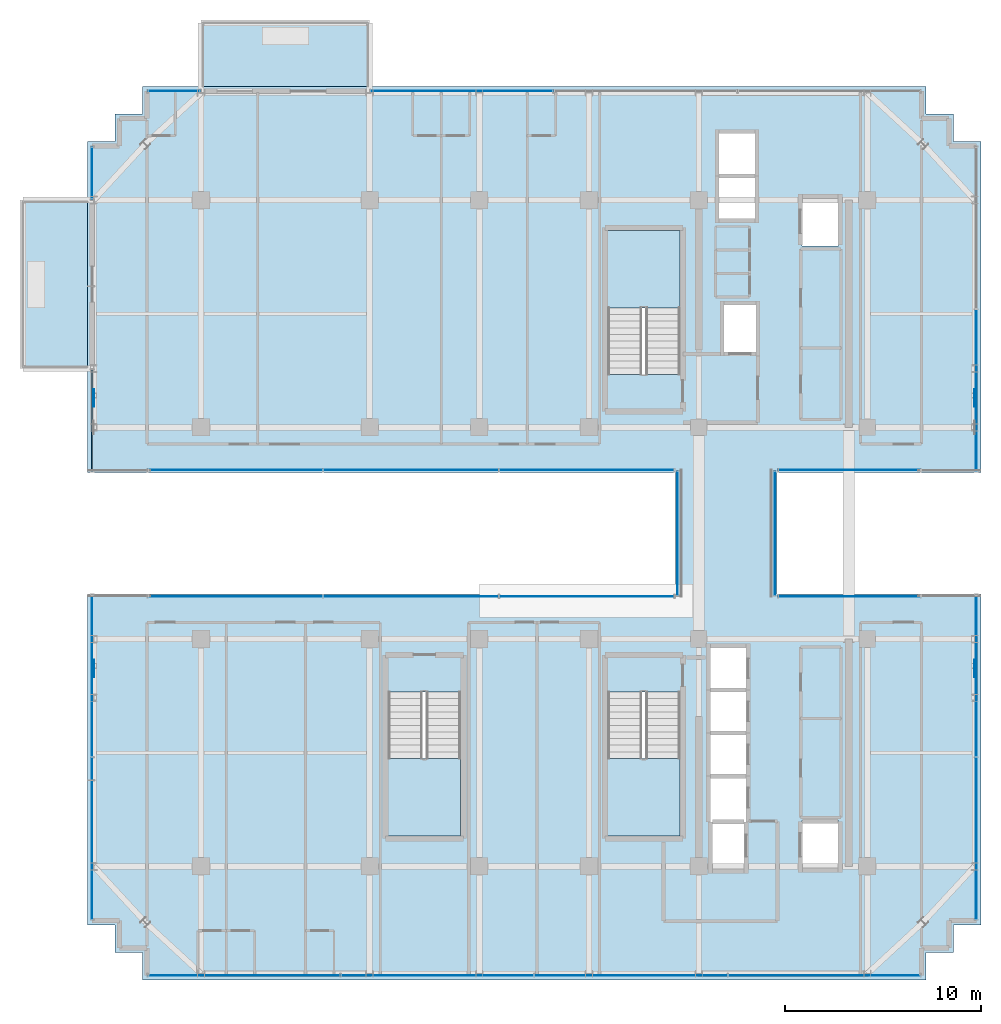
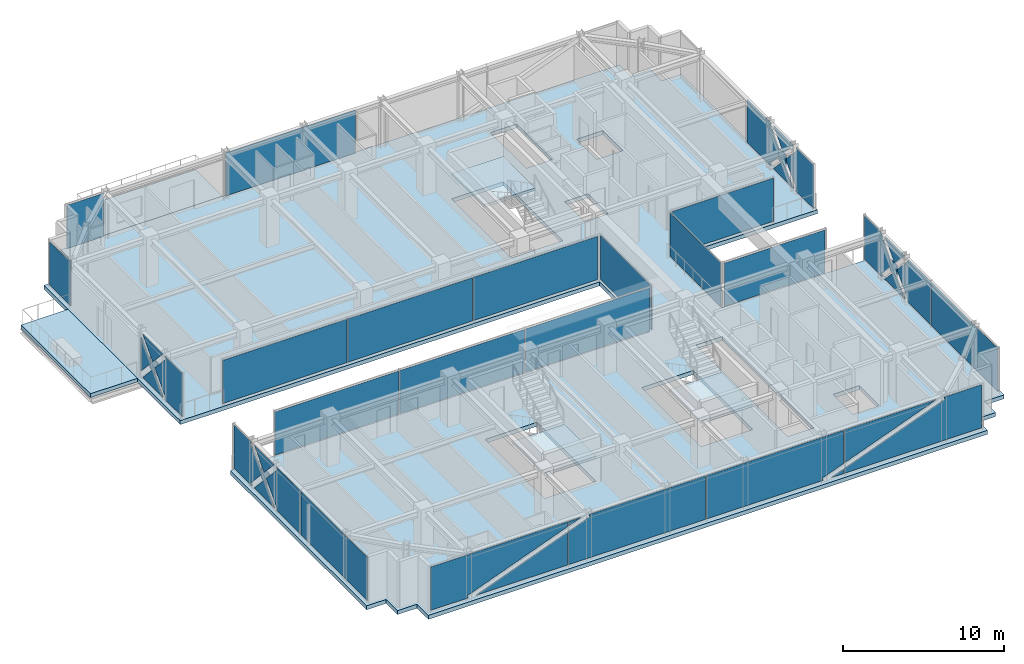
# One storey, part 32 of 41: 27 plates, 6 slabs, 17 elements without a shape of their own.
"""IFC4 building model written with IfcOpenShell, lengths in metres."""

from ifc_helpers import new_model, si_unit, direction, frame, origin, origin_2d, place, context, subcontext, project, spatial, polyline, rectangle, outline, extrude, source, transform, mapped, material, layer, layer_set, type_object, element, aggregate, save


model = new_model("IFC4")

# Units and contexts
model_context = context("Model", 3, precision=1e-05, world=origin(), true_north=direction((0.0, 1.0)))
body_context = subcontext(model_context, "Body", "Model", "MODEL_VIEW")
ifc_project = project(units=[si_unit("LENGTHUNIT", "METRE"), si_unit("AREAUNIT", "SQUARE_METRE"), si_unit("VOLUMEUNIT", "CUBIC_METRE"), si_unit("PLANEANGLEUNIT", "RADIAN"), si_unit("MASSUNIT", "GRAM", prefix="KILO")], contexts=[model_context])

# Site, building, storey
site_placement = place(None, origin())
site = spatial("IfcSite", under=ifc_project, at=site_placement, CompositionType="ELEMENT")
building_placement = place(site_placement, origin())
building = spatial("IfcBuilding", under=site, at=building_placement, Name="Nahalor Promenade Grand Hotel", CompositionType="ELEMENT")
storey_placement = place(building_placement, frame((0.0, 0.0, 304.199951171875)))
storey = spatial("IfcBuildingStorey", under=building, at=storey_placement, Name="L78", CompositionType="ELEMENT", Elevation=304.199951171875)

# Curtain wall, plates
ifc_material_1 = material(Name="Anodised Bronze Aluminium EN AW-6063 T6", Category="aluminium")
curtain_wall_type_1 = type_object("IfcCurtainWallType", Name="CW3 Elliptical-Void Collar Unitised Curtain Wall", PredefinedType="USERDEFINED", material=ifc_material_1)
curtain_wall_1_placement = place(storey_placement, origin())
curtain_wall_1 = element("IfcCurtainWall", 1, at=curtain_wall_1_placement, inside=storey, type_object=curtain_wall_type_1, Name="L78 Curtain Wall CW-L78-S-1", ObjectType="UNITISED_CURTAIN_WALL", PredefinedType="USERDEFINED")
ifc_material_2 = material(Name="Low-E Laminated Solar Glass", Category="glass")
ifc_layer_1 = layer(ifc_material_2, 0.030029296875)
ifc_layer_set_1 = layer_set([ifc_layer_1], Name="Low-E Laminated Solar Glass")
plate_type_1 = type_object("IfcPlateType", Name="CWP3 High-Wind Laminated Bronze IGU 30mm", PredefinedType="CURTAIN_PANEL", material=ifc_layer_set_1)
plate_1_placement = place(storey_placement, frame((-14.802490234375, -22.56005859375, 0.14013671875), z_axis=(0.0, 0.0, 1.0), x_axis=(1.0, 0.0, 0.0)))
plate_1 = element("IfcPlate", 2, at=plate_1_placement, type_object=plate_type_1, Name="CW-L78-S-1 Glazing Panel 0-0", PredefinedType="CURTAIN_PANEL", context=body_context, shape_type="SweptSolid", body=[
    extrude(outline(polyline([(-4.887451171875, 3.27001953125), (-4.887451171875, 0.0), (-2.220458984375, 0.0), (-2.29150390625, 0.188232421875), (4.887451171875, 2.9013671875), (4.887451171875, 3.27001953125), (-4.887451171875, 3.27001953125)])), frame((0.0, 0.01513671875, 0.0), z_axis=(0.0, -1.0, 0.0), x_axis=(1.0, 0.0, 0.0)), (0.0, 0.0, 1.0), 0.030029296875),
    extrude(outline(polyline([(-1.658203125, 0.0), (4.887451171875, 0.0), (4.887451171875, 2.4736328125), (-1.658203125, 0.0)])), frame((0.0, 0.01513671875, 0.0), z_axis=(0.0, -1.0, 0.0), x_axis=(1.0, 0.0, 0.0)), (0.0, 0.0, 1.0), 0.030029296875),
])
plate_2_placement = place(storey_placement, frame((-4.93994140625, -22.56005859375, 0.14013671875), z_axis=(0.0, 0.0, 1.0), x_axis=(1.0, 0.0, 0.0)))
plate_2 = element("IfcPlate", 3, at=plate_2_placement, type_object=plate_type_1, Name="CW-L78-S-1 Glazing Panel 1-0", PredefinedType="CURTAIN_PANEL", context=body_context, shape_type="SweptSolid", body=[
    extrude(outline(polyline([(4.905029296875, 0.0), (4.905029296875, 3.27001953125), (-3.43701171875, 3.27001953125), (-3.365966796875, 3.081787109375), (-4.905029296875, 2.5), (-4.905029296875, 0.0), (4.905029296875, 0.0)])), frame((0.0, 0.01513671875, 0.0), z_axis=(0.0, -1.0, 0.0), x_axis=(1.0, 0.0, 0.0)), (0.0, 0.0, 1.0), 0.030029296875),
    extrude(outline(polyline([(-3.999267578125, 3.27001953125), (-4.905029296875, 3.27001953125), (-4.905029296875, 2.927734375), (-3.999267578125, 3.27001953125)])), frame((0.0, 0.01513671875, 0.0), z_axis=(0.0, -1.0, 0.0), x_axis=(1.0, 0.0, 0.0)), (0.0, 0.0, 1.0), 0.030029296875),
])
plate_3_placement = place(storey_placement, frame((4.93994140625, -22.56005859375, 0.14013671875), z_axis=(0.0, 0.0, 1.0), x_axis=(1.0, 0.0, 0.0)))
plate_3 = element("IfcPlate", 4, at=plate_3_placement, type_object=plate_type_1, Name="CW-L78-S-1 Glazing Panel 2-0", PredefinedType="CURTAIN_PANEL", context=body_context, shape_type="SweptSolid", body=[
    extrude(outline(polyline([(-4.905029296875, 3.27001953125), (-4.905029296875, 0.0), (3.43701171875, 0.0), (3.365966796875, 0.188232421875), (4.905029296875, 0.769775390625), (4.905029296875, 3.27001953125), (-4.905029296875, 3.27001953125)])), frame((0.0, 0.01513671875, 0.0), z_axis=(0.0, -1.0, 0.0), x_axis=(1.0, 0.0, 0.0)), (0.0, 0.0, 1.0), 0.030029296875),
    extrude(outline(polyline([(3.999267578125, 0.0), (4.905029296875, 0.0), (4.905029296875, 0.34228515625), (3.999267578125, 0.0)])), frame((0.0, 0.01513671875, 0.0), z_axis=(0.0, -1.0, 0.0), x_axis=(1.0, 0.0, 0.0)), (0.0, 0.0, 1.0), 0.030029296875),
])
plate_4_placement = place(storey_placement, frame((14.802490234375, -22.56005859375, 0.14013671875), z_axis=(0.0, 0.0, 1.0), x_axis=(1.0, 0.0, 0.0)))
plate_4 = element("IfcPlate", 5, at=plate_4_placement, type_object=plate_type_1, Name="CW-L78-S-1 Glazing Panel 3-0", PredefinedType="CURTAIN_PANEL", context=body_context, shape_type="SweptSolid", body=[
    extrude(outline(polyline([(4.887451171875, 0.0), (4.887451171875, 3.27001953125), (2.220458984375, 3.27001953125), (2.29150390625, 3.081787109375), (-4.887451171875, 0.36865234375), (-4.887451171875, 0.0), (4.887451171875, 0.0)])), frame((0.0, 0.01513671875, 0.0), z_axis=(0.0, -1.0, 0.0), x_axis=(1.0, 0.0, 0.0)), (0.0, 0.0, 1.0), 0.030029296875),
    extrude(outline(polyline([(1.658203125, 3.27001953125), (-4.887451171875, 3.27001953125), (-4.887451171875, 0.79638671875), (1.658203125, 3.27001953125)])), frame((0.0, 0.01513671875, 0.0), z_axis=(0.0, -1.0, 0.0), x_axis=(1.0, 0.0, 0.0)), (0.0, 0.0, 1.0), 0.030029296875),
])
aggregate(curtain_wall_1, [plate_1, plate_2, plate_3, plate_4])

# Curtain wall, plate
curtain_wall_2_placement = place(storey_placement, origin())
curtain_wall_2 = element("IfcCurtainWall", 6, at=curtain_wall_2_placement, inside=storey, type_object=curtain_wall_type_1, Name="L78 Curtain Wall CW-L78-W-1", ObjectType="UNITISED_CURTAIN_WALL", PredefinedType="USERDEFINED")
plate_5_placement = place(storey_placement, frame((-22.56005859375, -7.282470703125, 0.14013671875), z_axis=(0.0, 0.0, 1.0), x_axis=(0.0, 1.0, 0.0)))
plate_5 = element("IfcPlate", 7, at=plate_5_placement, type_object=plate_type_1, Name="CW-L78-W-1 Glazing Panel 1-0", PredefinedType="CURTAIN_PANEL", context=body_context, shape_type="SweptSolid", body=[
    extrude(outline(polyline([(-4.112548828125, 3.27001953125), (-4.112548828125, 0.0), (-1.1435546875, 0.0), (-1.281494140625, 0.127197265625), (0.1103515625, 1.635009765625), (-1.281494140625, 3.142822265625), (-1.1435546875, 3.27001953125), (-4.112548828125, 3.27001953125)])), frame((0.0, 0.01513671875, 0.0), z_axis=(0.0, -1.0, 0.0), x_axis=(1.0, 0.0, 0.0)), (0.0, 0.0, 1.0), 0.030029296875),
    extrude(outline(polyline([(0.382568359375, 1.340087890625), (-0.8544921875, 0.0), (1.61962890625, 0.0), (0.382568359375, 1.340087890625)])), frame((0.0, 0.01513671875, 0.0), z_axis=(0.0, -1.0, 0.0), x_axis=(1.0, 0.0, 0.0)), (0.0, 0.0, 1.0), 0.030029296875),
    extrude(outline(polyline([(0.382568359375, 1.929931640625), (1.61962890625, 3.27001953125), (-0.8544921875, 3.27001953125), (0.382568359375, 1.929931640625)])), frame((0.0, 0.01513671875, 0.0), z_axis=(0.0, -1.0, 0.0), x_axis=(1.0, 0.0, 0.0)), (0.0, 0.0, 1.0), 0.030029296875),
    extrude(outline(polyline([(4.112548828125, 0.0), (4.112548828125, 3.27001953125), (1.908447265625, 3.27001953125), (2.04638671875, 3.142822265625), (0.65478515625, 1.635009765625), (2.04638671875, 0.127197265625), (1.908447265625, 0.0), (4.112548828125, 0.0)])), frame((0.0, 0.01513671875, 0.0), z_axis=(0.0, -1.0, 0.0), x_axis=(1.0, 0.0, 0.0)), (0.0, 0.0, 1.0), 0.030029296875),
])

curtain_wall_3_placement = place(storey_placement, origin())
curtain_wall_3 = element("IfcCurtainWall", 8, at=curtain_wall_3_placement, inside=storey, type_object=curtain_wall_type_1, Name="L78 Curtain Wall CW-L78-W-2", ObjectType="UNITISED_CURTAIN_WALL", PredefinedType="USERDEFINED")
plate_6_placement = place(storey_placement, frame((-22.56005859375, 5.75, 0.14013671875), z_axis=(0.0, 0.0, 1.0), x_axis=(0.0, 1.0, 0.0)))
plate_6 = element("IfcPlate", 9, at=plate_6_placement, type_object=plate_type_1, Name="CW-L78-W-2 Glazing Panel 0-0", PredefinedType="CURTAIN_PANEL", context=body_context, shape_type="SweptSolid", body=[
    extrude(outline(polyline([(-2.580078125, 3.27001953125), (-2.580078125, 0.0), (-0.3759765625, 0.0), (-0.513916015625, 0.127197265625), (0.8779296875, 1.635009765625), (-0.513916015625, 3.142822265625), (-0.3759765625, 3.27001953125), (-2.580078125, 3.27001953125)])), frame((0.0, 0.01513671875, 0.0), z_axis=(0.0, -1.0, 0.0), x_axis=(1.0, 0.0, 0.0)), (0.0, 0.0, 1.0), 0.030029296875),
    extrude(outline(polyline([(1.14990234375, 1.340087890625), (-0.087158203125, 0.0), (2.386962890625, 0.0), (1.14990234375, 1.340087890625)])), frame((0.0, 0.01513671875, 0.0), z_axis=(0.0, -1.0, 0.0), x_axis=(1.0, 0.0, 0.0)), (0.0, 0.0, 1.0), 0.030029296875),
    extrude(outline(polyline([(1.14990234375, 1.929931640625), (2.386962890625, 3.27001953125), (-0.087158203125, 3.27001953125), (1.14990234375, 1.929931640625)])), frame((0.0, 0.01513671875, 0.0), z_axis=(0.0, -1.0, 0.0), x_axis=(1.0, 0.0, 0.0)), (0.0, 0.0, 1.0), 0.030029296875),
    extrude(outline(polyline([(1.422119140625, 1.635009765625), (2.580078125, 0.380615234375), (2.580078125, 2.889404296875), (1.422119140625, 1.635009765625)])), frame((0.0, 0.01513671875, 0.0), z_axis=(0.0, -1.0, 0.0), x_axis=(1.0, 0.0, 0.0)), (0.0, 0.0, 1.0), 0.030029296875),
])
aggregate(curtain_wall_3, [plate_6])

curtain_wall_4_placement = place(storey_placement, origin())
curtain_wall_4 = element("IfcCurtainWall", 10, at=curtain_wall_4_placement, inside=storey, type_object=curtain_wall_type_1, Name="L78 Curtain Wall CW-L78-E-1", ObjectType="UNITISED_CURTAIN_WALL", PredefinedType="USERDEFINED")
plate_7_placement = place(storey_placement, frame((22.56005859375, -7.282470703125, 0.14013671875), z_axis=(0.0, 0.0, 1.0), x_axis=(0.0, 1.0, 0.0)))
plate_7 = element("IfcPlate", 11, at=plate_7_placement, type_object=plate_type_1, Name="CW-L78-E-1 Glazing Panel 1-0", PredefinedType="CURTAIN_PANEL", context=body_context, shape_type="SweptSolid", body=[
    extrude(outline(polyline([(-4.112548828125, 3.27001953125), (-4.112548828125, 0.0), (-1.1435546875, 0.0), (-1.281494140625, 0.127197265625), (0.1103515625, 1.635009765625), (-1.281494140625, 3.142822265625), (-1.1435546875, 3.27001953125), (-4.112548828125, 3.27001953125)])), frame((0.0, 0.01513671875, 0.0), z_axis=(0.0, -1.0, 0.0), x_axis=(1.0, 0.0, 0.0)), (0.0, 0.0, 1.0), 0.030029296875),
    extrude(outline(polyline([(0.382568359375, 1.340087890625), (-0.8544921875, 0.0), (1.61962890625, 0.0), (0.382568359375, 1.340087890625)])), frame((0.0, 0.01513671875, 0.0), z_axis=(0.0, -1.0, 0.0), x_axis=(1.0, 0.0, 0.0)), (0.0, 0.0, 1.0), 0.030029296875),
    extrude(outline(polyline([(0.382568359375, 1.929931640625), (1.61962890625, 3.27001953125), (-0.8544921875, 3.27001953125), (0.382568359375, 1.929931640625)])), frame((0.0, 0.01513671875, 0.0), z_axis=(0.0, -1.0, 0.0), x_axis=(1.0, 0.0, 0.0)), (0.0, 0.0, 1.0), 0.030029296875),
    extrude(outline(polyline([(4.112548828125, 0.0), (4.112548828125, 3.27001953125), (1.908447265625, 3.27001953125), (2.04638671875, 3.142822265625), (0.65478515625, 1.635009765625), (2.04638671875, 0.127197265625), (1.908447265625, 0.0), (4.112548828125, 0.0)])), frame((0.0, 0.01513671875, 0.0), z_axis=(0.0, -1.0, 0.0), x_axis=(1.0, 0.0, 0.0)), (0.0, 0.0, 1.0), 0.030029296875),
])

curtain_wall_5_placement = place(storey_placement, origin())
curtain_wall_5 = element("IfcCurtainWall", 12, at=curtain_wall_5_placement, inside=storey, type_object=curtain_wall_type_1, Name="L78 Curtain Wall CW-L78-E-2", ObjectType="UNITISED_CURTAIN_WALL", PredefinedType="USERDEFINED")
plate_8_placement = place(storey_placement, frame((22.56005859375, 7.282470703125, 0.14013671875), z_axis=(0.0, 0.0, 1.0), x_axis=(0.0, 1.0, 0.0)))
plate_8 = element("IfcPlate", 13, at=plate_8_placement, type_object=plate_type_1, Name="CW-L78-E-2 Glazing Panel 0-0", PredefinedType="CURTAIN_PANEL", context=body_context, shape_type="SweptSolid", body=[
    extrude(outline(polyline([(-4.112548828125, 3.27001953125), (-4.112548828125, 0.0), (-1.908447265625, 0.0), (-2.04638671875, 0.127197265625), (-0.65478515625, 1.635009765625), (-2.04638671875, 3.142822265625), (-1.908447265625, 3.27001953125), (-4.112548828125, 3.27001953125)])), frame((0.0, 0.01513671875, 0.0), z_axis=(0.0, -1.0, 0.0), x_axis=(1.0, 0.0, 0.0)), (0.0, 0.0, 1.0), 0.030029296875),
    extrude(outline(polyline([(-0.382568359375, 1.340087890625), (-1.61962890625, 0.0), (0.8544921875, 0.0), (-0.382568359375, 1.340087890625)])), frame((0.0, 0.01513671875, 0.0), z_axis=(0.0, -1.0, 0.0), x_axis=(1.0, 0.0, 0.0)), (0.0, 0.0, 1.0), 0.030029296875),
    extrude(outline(polyline([(-0.382568359375, 1.929931640625), (0.8544921875, 3.27001953125), (-1.61962890625, 3.27001953125), (-0.382568359375, 1.929931640625)])), frame((0.0, 0.01513671875, 0.0), z_axis=(0.0, -1.0, 0.0), x_axis=(1.0, 0.0, 0.0)), (0.0, 0.0, 1.0), 0.030029296875),
    extrude(outline(polyline([(4.112548828125, 0.0), (4.112548828125, 3.27001953125), (1.1435546875, 3.27001953125), (1.281494140625, 3.142822265625), (-0.1103515625, 1.635009765625), (1.281494140625, 0.127197265625), (1.1435546875, 0.0), (4.112548828125, 0.0)])), frame((0.0, 0.01513671875, 0.0), z_axis=(0.0, -1.0, 0.0), x_axis=(1.0, 0.0, 0.0)), (0.0, 0.0, 1.0), 0.030029296875),
])
aggregate(curtain_wall_5, [plate_8])

# Stair, slab
ifc_material_3 = material(Name="Concrete B-50 (C40/50)", Category="concrete")
stair_type_1 = type_object("IfcStairType", Name="Stair-ST1", PredefinedType="HALF_TURN_STAIR", material=ifc_material_3)
stair_1_placement = place(storey_placement, origin())
stair_1 = element("IfcStair", 14, at=stair_1_placement, inside=storey, type_object=stair_type_1, Name="L78 ST1", PredefinedType="HALF_TURN_STAIR")
ifc_layer_2 = layer(ifc_material_3, 0.199951171875)
ifc_layer_set_2 = layer_set([ifc_layer_2], Name="Concrete B-50 (C40/50)")
slab_type_1 = type_object("IfcSlabType", Name="Landing-ST1", PredefinedType="LANDING", material=ifc_layer_set_2)
slab_1_placement = place(storey_placement, frame((0.0, 0.0, 1.72509765625)))
slab_1 = element("IfcSlab", 15, at=slab_1_placement, type_object=slab_type_1, Name="ST1 landing 1", PredefinedType="LANDING", context=body_context, shape_type="SweptSolid", body=[
    extrude(outline(polyline([(7.449951171875, 11.5), (7.449951171875, 15.449951171875), (3.75, 15.449951171875), (3.75, 11.5), (7.449951171875, 11.5)])), origin(), (0.0, 0.0, 1.0), 0.199951171875),
])
aggregate(stair_1, [slab_1])

stair_type_2 = type_object("IfcStairType", Name="Stair-ST2", PredefinedType="HALF_TURN_STAIR", material=ifc_material_3)
stair_2_placement = place(storey_placement, origin())
stair_2 = element("IfcStair", 16, at=stair_2_placement, inside=storey, type_object=stair_type_2, Name="L78 ST2", PredefinedType="HALF_TURN_STAIR")
ifc_layer_3 = layer(ifc_material_3, 0.2099609375)
ifc_layer_set_3 = layer_set([ifc_layer_3], Name="Concrete B-50 (C40/50)")
slab_type_2 = type_object("IfcSlabType", Name="Landing-ST2", PredefinedType="LANDING", material=ifc_layer_set_3)
slab_2_placement = place(storey_placement, frame((0.0, 0.0, 1.715087890625)))
slab_2 = element("IfcSlab", 17, at=slab_2_placement, type_object=slab_type_2, Name="ST2 landing 1", PredefinedType="LANDING", context=body_context, shape_type="SweptSolid", body=[
    extrude(outline(polyline([(3.75, -11.5), (3.75, -15.449951171875), (7.449951171875, -15.449951171875), (7.449951171875, -11.5), (3.75, -11.5)])), origin(), (0.0, 0.0, 1.0), 0.2099609375),
])
aggregate(stair_2, [slab_2])

stair_type_3 = type_object("IfcStairType", Name="Stair-ST3", PredefinedType="HALF_TURN_STAIR", material=ifc_material_3)
stair_3_placement = place(storey_placement, origin())
stair_3 = element("IfcStair", 18, at=stair_3_placement, inside=storey, type_object=stair_type_3, Name="L78 ST3", PredefinedType="HALF_TURN_STAIR")
ifc_layer_4 = layer(ifc_material_3, 0.219970703125)
ifc_layer_set_4 = layer_set([ifc_layer_4], Name="Concrete B-50 (C40/50)")
slab_type_3 = type_object("IfcSlabType", Name="Landing-ST3", PredefinedType="LANDING", material=ifc_layer_set_4)
slab_3_placement = place(storey_placement, frame((0.0, 0.0, 1.705078125)))
slab_3 = element("IfcSlab", 19, at=slab_3_placement, type_object=slab_type_3, Name="ST3 landing 1", PredefinedType="LANDING", context=body_context, shape_type="SweptSolid", body=[
    extrude(outline(polyline([(-7.449951171875, -11.5), (-7.449951171875, -15.449951171875), (-3.75, -15.449951171875), (-3.75, -11.5), (-7.449951171875, -11.5)])), origin(), (0.0, 0.0, 1.0), 0.219970703125),
])
aggregate(stair_3, [slab_3])

# Slabs
ifc_layer_5 = layer(ifc_material_3, 0.280029296875)
ifc_layer_set_5 = layer_set([ifc_layer_5], Name="Concrete B-50 (C40/50)")
slab_type_4 = type_object("IfcSlabType", Name="Slab-Balcony-280", PredefinedType="FLOOR", material=ifc_layer_set_5)
slab_4_placement = place(storey_placement, frame((0.0, 0.0, -0.280029296875)))
element("IfcSlab", 20, at=slab_4_placement, inside=storey, type_object=slab_type_4, Name="L78 Cantilevered Planted Balcony 1", PredefinedType="FLOOR", context=body_context, shape_type="SweptSolid", body=[
    extrude(outline(polyline([(-17.0, 22.800048828125), (-8.39990234375, 22.800048828125), (-8.39990234375, 26.1201171875), (-17.0, 26.1201171875), (-17.0, 22.800048828125)])), origin(), (0.0, 0.0, 1.0), 0.280029296875),
])
slab_5_placement = place(storey_placement, frame((0.0, 0.0, -0.280029296875)))
element("IfcSlab", 21, at=slab_5_placement, inside=storey, type_object=slab_type_4, Name="L78 Cantilevered Planted Balcony 2", PredefinedType="FLOOR", context=body_context, shape_type="SweptSolid", body=[
    extrude(outline(polyline([(-26.169921875, 8.39990234375), (-22.800048828125, 8.39990234375), (-22.800048828125, 17.0), (-26.169921875, 17.0), (-26.169921875, 8.39990234375)])), origin(), (0.0, 0.0, 1.0), 0.280029296875),
])
ifc_layer_6 = layer(ifc_material_3, 0.300048828125)
ifc_layer_set_6 = layer_set([ifc_layer_6], Name="Concrete B-50 (C40/50)")
slab_type_5 = type_object("IfcSlabType", Name="Slab-TowerZ5-300", PredefinedType="FLOOR", material=ifc_layer_set_6)
slab_6_placement = place(storey_placement, frame((0.0, 0.0, -0.300048828125)))
element("IfcSlab", 22, at=slab_6_placement, inside=storey, type_object=slab_type_5, Name="L78 Suspended Structural Floor Slab", PredefinedType="FLOOR", context=body_context, shape_type="SweptSolid", body=[
    extrude(outline(polyline([(-20.0, -22.800048828125), (20.0, -22.800048828125), (20.0, -21.39990234375), (21.39990234375, -21.39990234375), (21.39990234375, -20.0), (22.800048828125, -20.0), (22.800048828125, -3.10009765625), (12.39990234375, -3.10009765625), (12.39990234375, 3.10009765625), (22.800048828125, 3.10009765625), (22.800048828125, 20.0), (21.39990234375, 20.0), (21.39990234375, 21.39990234375), (20.0, 21.39990234375), (20.0, 22.800048828125), (-20.0, 22.800048828125), (-20.0, 21.39990234375), (-21.39990234375, 21.39990234375), (-21.39990234375, 20.0), (-22.800048828125, 20.0), (-22.800048828125, 3.10009765625), (7.199951171875, 3.10009765625), (7.199951171875, -3.10009765625), (-22.800048828125, -3.10009765625), (-22.800048828125, -20.0), (-21.39990234375, -20.0), (-21.39990234375, -21.39990234375), (-20.0, -21.39990234375), (-20.0, -22.800048828125)]), holes=[polyline([(3.75, 8.10009765625), (7.449951171875, 8.10009765625), (7.449951171875, 15.449951171875), (3.75, 15.449951171875), (3.75, 8.10009765625)]), polyline([(3.75, -15.449951171875), (7.449951171875, -15.449951171875), (7.449951171875, -8.10009765625), (3.75, -8.10009765625), (3.75, -15.449951171875)]), polyline([(-7.449951171875, -15.449951171875), (-3.75, -15.449951171875), (-3.75, -8.10009765625), (-7.449951171875, -8.10009765625), (-7.449951171875, -15.449951171875)]), polyline([(8.9599609375, -17.18994140625), (10.840087890625, -17.18994140625), (10.840087890625, -5.81005859375), (8.9599609375, -5.81005859375), (8.9599609375, -17.18994140625)]), polyline([(9.409912109375, 16.010009765625), (11.2900390625, 16.010009765625), (11.2900390625, 20.43994140625), (9.409912109375, 20.43994140625), (9.409912109375, 16.010009765625)]), polyline([(9.659912109375, 9.2099609375), (11.340087890625, 9.2099609375), (11.340087890625, 11.68994140625), (9.659912109375, 11.68994140625), (9.659912109375, 9.2099609375)]), polyline([(13.659912109375, 14.659912109375), (15.5400390625, 14.659912109375), (15.5400390625, 17.139892578125), (13.659912109375, 17.139892578125), (13.659912109375, 14.659912109375)]), polyline([(13.659912109375, -17.139892578125), (15.5400390625, -17.139892578125), (15.5400390625, -14.659912109375), (13.659912109375, -14.659912109375), (13.659912109375, -17.139892578125)])]), origin(), (0.0, 0.0, 1.0), 0.300048828125),
])

# Plates
ifc_material_4 = material(Name="Steel S355J2", Category="steel")
ifc_layer_7 = layer(ifc_material_4, 0.035888671875)
ifc_layer_set_7 = layer_set([ifc_layer_7], Name="Steel S355J2")
plate_type_2 = type_object("IfcPlateType", Name="Plate-CrossGusset-36", PredefinedType="USERDEFINED", material=ifc_layer_set_7)
shared_shape_1 = source(origin(), body_context, "Body", "SweptSolid", [
    extrude(rectangle(XDim=0.89990234375, YDim=0.035888671875, at=origin_2d()), origin(), (0.0, 0.0, 1.0), 0.89990234375),
])
for number, where, z_axis, x_axis, name in (
    (23, (-22.47998046875, -6.89990234375, 1.3251953125), (0.0, 0.0, 1.0), (0.0, 1.0, 0.0), "PL-L78-VXX-W0"),
    (24, (-22.47998046875, 6.89990234375, 1.3251953125), (0.0, 0.0, 1.0), (0.0, 1.0, 0.0), "PL-L78-VXX-W1"),
    (25, (22.47998046875, -6.89990234375, 1.3251953125), (0.0, 0.0, 1.0), (0.0, 1.0, 0.0), "PL-L78-VXX-E0"),
    (26, (22.47998046875, 6.89990234375, 1.3251953125), (0.0, 0.0, 1.0), (0.0, 1.0, 0.0), "PL-L78-VXX-E1"),
):
    element("IfcPlate", number, at=place(storey_placement, frame(where, z_axis=z_axis, x_axis=x_axis)), inside=storey, type_object=plate_type_2, Name=name, ObjectType="GUSSET_PLATE", PredefinedType="USERDEFINED", context=body_context, shape_type="MappedRepresentation", body=[
        mapped(shared_shape_1, transform((0.0, 0.0, 0.0), scale=1.0)),
    ])

# Curtain wall, plate
curtain_wall_6_placement = place(storey_placement, origin())
curtain_wall_6 = element("IfcCurtainWall", 27, at=curtain_wall_6_placement, inside=storey, type_object=curtain_wall_type_1, Name="L78 Curtain Wall CW-L78-N-1", ObjectType="UNITISED_CURTAIN_WALL", PredefinedType="USERDEFINED")
shared_shape_2 = source(origin(), body_context, "Body", "SweptSolid", [
    extrude(rectangle(XDim=2.6201171875, YDim=0.030029296875, at=origin_2d()), origin(), (0.0, 0.0, 1.0), 3.27001953125),
])
plate_9_placement = place(storey_placement, frame((-18.3798828125, 22.56005859375, 0.14013671875), z_axis=(0.0, 0.0, 1.0), x_axis=(1.0, 0.0, 0.0)))
plate_9 = element("IfcPlate", 28, at=plate_9_placement, type_object=plate_type_1, Name="CW-L78-N-1 Glazing Panel 0-0", PredefinedType="CURTAIN_PANEL", context=body_context, shape_type="MappedRepresentation", body=[
    mapped(shared_shape_2, transform((0.0, 0.0, 0.0), scale=1.0)),
])
aggregate(curtain_wall_6, [plate_9])

curtain_wall_7_placement = place(storey_placement, origin())
curtain_wall_7 = element("IfcCurtainWall", 29, at=curtain_wall_7_placement, inside=storey, type_object=curtain_wall_type_1, Name="L78 Curtain Wall CW-L78-W-4", ObjectType="UNITISED_CURTAIN_WALL", PredefinedType="USERDEFINED")
plate_10_placement = place(storey_placement, frame((-22.56005859375, 18.3798828125, 0.14013671875), z_axis=(0.0, 0.0, 1.0), x_axis=(0.0, 1.0, 0.0)))
plate_10 = element("IfcPlate", 30, at=plate_10_placement, type_object=plate_type_1, Name="CW-L78-W-4 Glazing Panel 0-0", PredefinedType="CURTAIN_PANEL", context=body_context, shape_type="MappedRepresentation", body=[
    mapped(shared_shape_2, transform((0.0, 0.0, 0.0), scale=1.0)),
])
aggregate(curtain_wall_7, [plate_10])

curtain_wall_8_placement = place(storey_placement, origin())
curtain_wall_8 = element("IfcCurtainWall", 31, at=curtain_wall_8_placement, inside=storey, type_object=curtain_wall_type_1, Name="L78 Curtain Wall CW-L78-N-3", ObjectType="UNITISED_CURTAIN_WALL", PredefinedType="USERDEFINED")
shared_shape_3 = source(origin(), body_context, "Body", "SweptSolid", [
    extrude(rectangle(XDim=9.28173828125, YDim=0.030029296875, at=origin_2d()), origin(), (0.0, 0.0, 1.0), 3.27001953125),
])
plate_11_placement = place(storey_placement, frame((-3.689208984375, 22.56005859375, 0.14013671875), z_axis=(0.0, 0.0, 1.0), x_axis=(1.0, 0.0, 0.0)))
plate_11 = element("IfcPlate", 32, at=plate_11_placement, type_object=plate_type_1, Name="CW-L78-N-3 Glazing Panel 0-0", PredefinedType="CURTAIN_PANEL", context=body_context, shape_type="MappedRepresentation", body=[
    mapped(shared_shape_3, transform((0.0, 0.0, 0.0), scale=1.0)),
])
aggregate(curtain_wall_8, [plate_11])

# Curtain wall, plates
curtain_wall_9_placement = place(storey_placement, origin())
curtain_wall_9 = element("IfcCurtainWall", 33, at=curtain_wall_9_placement, inside=storey, type_object=curtain_wall_type_1, Name="L78 Curtain Wall CW-L78-VOID-WS1", ObjectType="UNITISED_CURTAIN_WALL", PredefinedType="USERDEFINED")
shared_shape_4 = source(origin(), body_context, "Body", "SweptSolid", [
    extrude(rectangle(XDim=8.881591796875, YDim=0.030029296875, at=origin_2d()), origin(), (0.0, 0.0, 1.0), 3.27001953125),
])
plate_12_placement = place(storey_placement, frame((-15.249267578125, -3.219970703125, 0.14013671875), z_axis=(0.0, 0.0, 1.0), x_axis=(1.0, 0.0, 0.0)))
plate_12 = element("IfcPlate", 34, at=plate_12_placement, type_object=plate_type_1, Name="CW-L78-VOID-WS1 Glazing Panel 0-0", PredefinedType="CURTAIN_PANEL", context=body_context, shape_type="MappedRepresentation", body=[
    mapped(shared_shape_4, transform((0.0, 0.0, 0.0), scale=1.0)),
])
plate_13_placement = place(storey_placement, frame((2.689208984375, -3.219970703125, 0.14013671875), z_axis=(0.0, 0.0, 1.0), x_axis=(1.0, 0.0, 0.0)))
plate_13 = element("IfcPlate", 35, at=plate_13_placement, type_object=plate_type_1, Name="CW-L78-VOID-WS1 Glazing Panel 2-0", PredefinedType="CURTAIN_PANEL", context=body_context, shape_type="MappedRepresentation", body=[
    mapped(shared_shape_4, transform((0.0, 0.0, 0.0), scale=1.0)),
])

curtain_wall_10_placement = place(storey_placement, origin())
curtain_wall_10 = element("IfcCurtainWall", 36, at=curtain_wall_10_placement, inside=storey, type_object=curtain_wall_type_1, Name="L78 Curtain Wall CW-L78-VOID-WN1", ObjectType="UNITISED_CURTAIN_WALL", PredefinedType="USERDEFINED")
plate_14_placement = place(storey_placement, frame((-15.249267578125, 3.219970703125, 0.14013671875), z_axis=(0.0, 0.0, 1.0), x_axis=(1.0, 0.0, 0.0)))
plate_14 = element("IfcPlate", 37, at=plate_14_placement, type_object=plate_type_1, Name="CW-L78-VOID-WN1 Glazing Panel 0-0", PredefinedType="CURTAIN_PANEL", context=body_context, shape_type="MappedRepresentation", body=[
    mapped(shared_shape_4, transform((0.0, 0.0, 0.0), scale=1.0)),
])
plate_15_placement = place(storey_placement, frame((2.689208984375, 3.219970703125, 0.14013671875), z_axis=(0.0, 0.0, 1.0), x_axis=(1.0, 0.0, 0.0)))
plate_15 = element("IfcPlate", 38, at=plate_15_placement, type_object=plate_type_1, Name="CW-L78-VOID-WN1 Glazing Panel 2-0", PredefinedType="CURTAIN_PANEL", context=body_context, shape_type="MappedRepresentation", body=[
    mapped(shared_shape_4, transform((0.0, 0.0, 0.0), scale=1.0)),
])

# Plate
shared_shape_5 = source(origin(), body_context, "Body", "SweptSolid", [
    extrude(rectangle(XDim=8.916748046875, YDim=0.030029296875, at=origin_2d()), origin(), (0.0, 0.0, 1.0), 3.27001953125),
])
plate_16_placement = place(storey_placement, frame((-6.280029296875, -3.219970703125, 0.14013671875), z_axis=(0.0, 0.0, 1.0), x_axis=(1.0, 0.0, 0.0)))
plate_16 = element("IfcPlate", 39, at=plate_16_placement, type_object=plate_type_1, Name="CW-L78-VOID-WS1 Glazing Panel 1-0", PredefinedType="CURTAIN_PANEL", context=body_context, shape_type="MappedRepresentation", body=[
    mapped(shared_shape_5, transform((0.0, 0.0, 0.0), scale=1.0)),
])

aggregate(curtain_wall_9, [plate_12, plate_16, plate_13])

plate_17_placement = place(storey_placement, frame((-6.280029296875, 3.219970703125, 0.14013671875), z_axis=(0.0, 0.0, 1.0), x_axis=(1.0, 0.0, 0.0)))
plate_17 = element("IfcPlate", 40, at=plate_17_placement, type_object=plate_type_1, Name="CW-L78-VOID-WN1 Glazing Panel 1-0", PredefinedType="CURTAIN_PANEL", context=body_context, shape_type="MappedRepresentation", body=[
    mapped(shared_shape_5, transform((0.0, 0.0, 0.0), scale=1.0)),
])

aggregate(curtain_wall_10, [plate_14, plate_17, plate_15])

# Curtain wall, plate
curtain_wall_11_placement = place(storey_placement, origin())
curtain_wall_11 = element("IfcCurtainWall", 41, at=curtain_wall_11_placement, inside=storey, type_object=curtain_wall_type_1, Name="L78 Curtain Wall CW-L78-VOID-ES1", ObjectType="UNITISED_CURTAIN_WALL", PredefinedType="USERDEFINED")
shared_shape_6 = source(origin(), body_context, "Body", "SweptSolid", [
    extrude(rectangle(XDim=7.219970703125, YDim=0.030029296875, at=origin_2d()), origin(), (0.0, 0.0, 1.0), 3.27001953125),
])
plate_18_placement = place(storey_placement, frame((16.080078125, -3.219970703125, 0.14013671875), z_axis=(0.0, 0.0, 1.0), x_axis=(1.0, 0.0, 0.0)))
plate_18 = element("IfcPlate", 42, at=plate_18_placement, type_object=plate_type_1, Name="CW-L78-VOID-ES1 Glazing Panel 0-0", PredefinedType="CURTAIN_PANEL", context=body_context, shape_type="MappedRepresentation", body=[
    mapped(shared_shape_6, transform((0.0, 0.0, 0.0), scale=1.0)),
])
aggregate(curtain_wall_11, [plate_18])

curtain_wall_12_placement = place(storey_placement, origin())
curtain_wall_12 = element("IfcCurtainWall", 43, at=curtain_wall_12_placement, inside=storey, type_object=curtain_wall_type_1, Name="L78 Curtain Wall CW-L78-VOID-EN1", ObjectType="UNITISED_CURTAIN_WALL", PredefinedType="USERDEFINED")
plate_19_placement = place(storey_placement, frame((16.080078125, 3.219970703125, 0.14013671875), z_axis=(0.0, 0.0, 1.0), x_axis=(1.0, 0.0, 0.0)))
plate_19 = element("IfcPlate", 44, at=plate_19_placement, type_object=plate_type_1, Name="CW-L78-VOID-EN1 Glazing Panel 0-0", PredefinedType="CURTAIN_PANEL", context=body_context, shape_type="MappedRepresentation", body=[
    mapped(shared_shape_6, transform((0.0, 0.0, 0.0), scale=1.0)),
])
aggregate(curtain_wall_12, [plate_19])

# Plate
shared_shape_7 = source(origin(), body_context, "Body", "SweptSolid", [
    extrude(rectangle(XDim=8.22509765625, YDim=0.030029296875, at=origin_2d()), origin(), (0.0, 0.0, 1.0), 3.27001953125),
])
plate_20_placement = place(storey_placement, frame((-22.56005859375, -15.577392578125, 0.14013671875), z_axis=(0.0, 0.0, 1.0), x_axis=(0.0, 1.0, 0.0)))
plate_20 = element("IfcPlate", 45, at=plate_20_placement, type_object=plate_type_1, Name="CW-L78-W-1 Glazing Panel 0-0", PredefinedType="CURTAIN_PANEL", context=body_context, shape_type="MappedRepresentation", body=[
    mapped(shared_shape_7, transform((0.0, 0.0, 0.0), scale=1.0)),
])

aggregate(curtain_wall_2, [plate_20, plate_5])

plate_21_placement = place(storey_placement, frame((22.56005859375, -15.577392578125, 0.14013671875), z_axis=(0.0, 0.0, 1.0), x_axis=(0.0, 1.0, 0.0)))
plate_21 = element("IfcPlate", 46, at=plate_21_placement, type_object=plate_type_1, Name="CW-L78-E-1 Glazing Panel 0-0", PredefinedType="CURTAIN_PANEL", context=body_context, shape_type="MappedRepresentation", body=[
    mapped(shared_shape_7, transform((0.0, 0.0, 0.0), scale=1.0)),
])

aggregate(curtain_wall_4, [plate_21, plate_7])

# Curtain wall, plate
curtain_wall_type_2 = type_object("IfcCurtainWallType", Name="CW4 Low-Iron Sky-Gallery Bridge Curtain Wall", PredefinedType="USERDEFINED", material=ifc_material_1)
curtain_wall_13_placement = place(storey_placement, origin())
curtain_wall_13 = element("IfcCurtainWall", 47, at=curtain_wall_13_placement, inside=storey, type_object=curtain_wall_type_2, Name="L78 Curtain Wall CW-L78-BRG-W", ObjectType="UNITISED_CURTAIN_WALL", PredefinedType="USERDEFINED")
ifc_layer_8 = layer(ifc_material_2, 0.02587890625)
ifc_layer_set_8 = layer_set([ifc_layer_8], Name="Low-E Laminated Solar Glass")
plate_type_3 = type_object("IfcPlateType", Name="CWP4 Ultra-Clear Low-Iron Bridge IGU 26mm", PredefinedType="CURTAIN_PANEL", material=ifc_layer_set_8)
shared_shape_8 = source(origin(), body_context, "Body", "SweptSolid", [
    extrude(rectangle(XDim=6.320068359375, YDim=0.02587890625, at=origin_2d()), origin(), (0.0, 0.0, 1.0), 3.31005859375),
])
plate_22_placement = place(storey_placement, frame((7.320068359375, 0.0, 0.1201171875), z_axis=(0.0, 0.0, 1.0), x_axis=(0.0, 1.0, 0.0)))
plate_22 = element("IfcPlate", 48, at=plate_22_placement, type_object=plate_type_3, Name="CW-L78-BRG-W Glazing Panel 0-0", PredefinedType="CURTAIN_PANEL", context=body_context, shape_type="MappedRepresentation", body=[
    mapped(shared_shape_8, transform((0.0, 0.0, 0.0), scale=1.0)),
])
aggregate(curtain_wall_13, [plate_22])

curtain_wall_14_placement = place(storey_placement, origin())
curtain_wall_14 = element("IfcCurtainWall", 49, at=curtain_wall_14_placement, inside=storey, type_object=curtain_wall_type_2, Name="L78 Curtain Wall CW-L78-BRG-E", ObjectType="UNITISED_CURTAIN_WALL", PredefinedType="USERDEFINED")
plate_23_placement = place(storey_placement, frame((12.280029296875, 0.0, 0.1201171875), z_axis=(0.0, 0.0, 1.0), x_axis=(0.0, 1.0, 0.0)))
plate_23 = element("IfcPlate", 50, at=plate_23_placement, type_object=plate_type_3, Name="CW-L78-BRG-E Glazing Panel 0-0", PredefinedType="CURTAIN_PANEL", context=body_context, shape_type="MappedRepresentation", body=[
    mapped(shared_shape_8, transform((0.0, 0.0, 0.0), scale=1.0)),
])
aggregate(curtain_wall_14, [plate_23])

save(model, "model.ifc")
